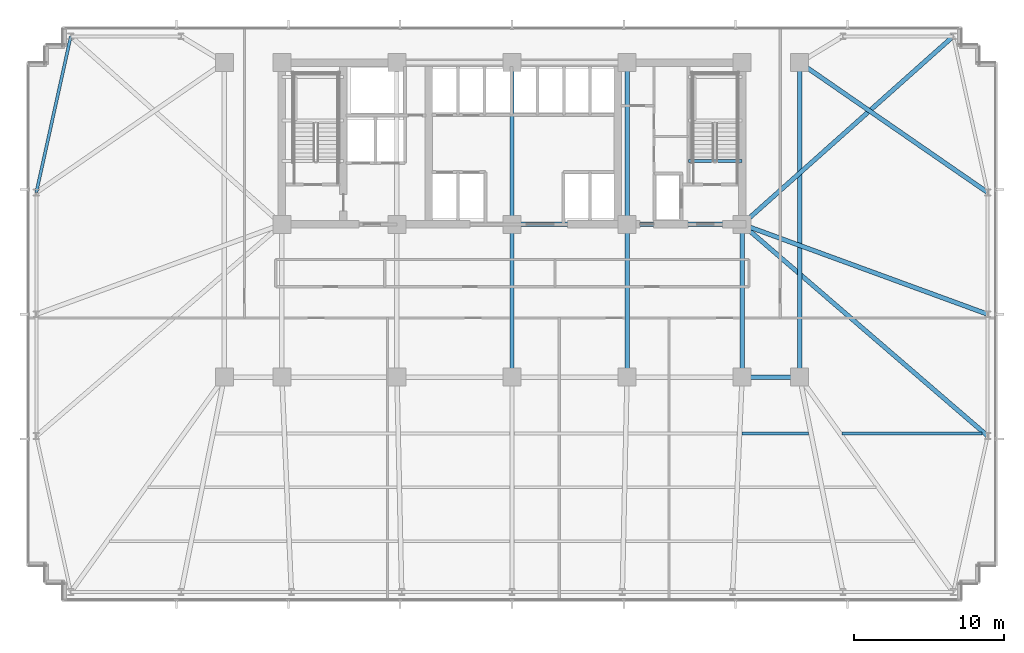
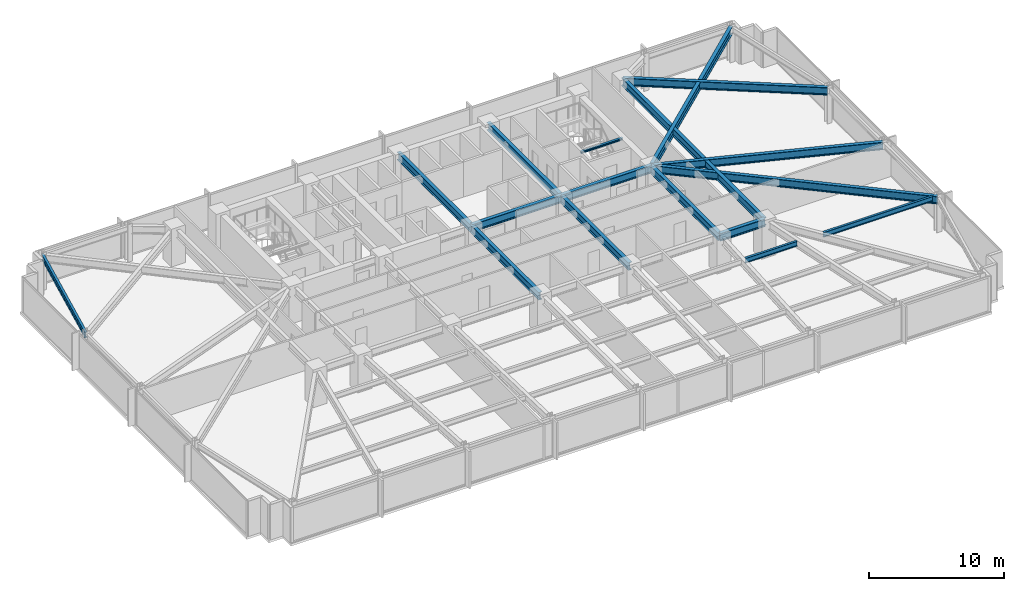
# One storey, part 16 of 32: 17 beams.
"""IFC4 building model written with IfcOpenShell, lengths in metres."""

from ifc_helpers import new_model, si_unit, direction, frame, origin, origin_2d, place, context, subcontext, project, spatial, i_section, extrude, material, material_profile, profile_set, type_object, element, save


model = new_model("IFC4")

# Units and contexts
model_context = context("Model", 3, precision=1e-05, world=origin(), true_north=direction((0.0, 1.0)))
body_context = subcontext(model_context, "Body", "Model", "MODEL_VIEW")
ifc_project = project(units=[si_unit("LENGTHUNIT", "METRE"), si_unit("AREAUNIT", "SQUARE_METRE"), si_unit("VOLUMEUNIT", "CUBIC_METRE"), si_unit("PLANEANGLEUNIT", "RADIAN"), si_unit("MASSUNIT", "GRAM", prefix="KILO")], contexts=[model_context])

# Site, building, storey
site_placement = place(None, origin())
site = spatial("IfcSite", under=ifc_project, at=site_placement, CompositionType="ELEMENT")
building_placement = place(site_placement, origin())
building = spatial("IfcBuilding", under=site, at=building_placement, Name="Yelkora Congress Tower", CompositionType="ELEMENT")
storey_placement = place(building_placement, frame((0.0, 0.0, 67.800048828125)))
storey = spatial("IfcBuildingStorey", under=building, at=storey_placement, Name="L17", CompositionType="ELEMENT", Elevation=67.800048828125)

# Beams
ifc_material = material(Name="Steel S355J2", Category="steel")
ifc_material_profile_1 = material_profile(ifc_material, i_section(OverallWidth=0.300048828125, OverallDepth=0.699951171875, WebThickness=0.01708984375, FlangeThickness=0.031982421875, FilletRadius=0.027099609375, at=origin_2d()), Name="HEB 700")
ifc_profile_set_1 = profile_set([ifc_material_profile_1], Name="Steel S355J2")
beam_type_1 = type_object("IfcBeamType", Name="BM-GIRD-HEB700", PredefinedType="BEAM", material=ifc_profile_set_1)
beam_1_placement = place(storey_placement, frame((53.760009765625, 25.199951171875, 2.829833984375), z_axis=(1.0, 0.0, 0.0), x_axis=(0.0, 1.0, 0.0)))
element("IfcBeam", 1, at=beam_1_placement, inside=storey, type_object=beam_type_1, Name="L17 Spine Grid D Girder 6", PredefinedType="BEAM", context=body_context, shape_type="SweptSolid", body=[
    extrude(i_section(OverallWidth=0.300048828125, OverallDepth=0.699951171875, WebThickness=0.01708984375, FlangeThickness=0.031982421875, FilletRadius=0.027099609375, at=origin_2d()), origin(), (0.0, 0.0, 1.0), 3.840087890625),
])
beam_2_placement = place(storey_placement, frame((38.39990234375, 35.39990234375, 2.829833984375), z_axis=(1.0, 0.0, 0.0), x_axis=(0.0, 1.0, 0.0)))
element("IfcBeam", 2, at=beam_2_placement, inside=storey, type_object=beam_type_1, Name="L17 Core South Girder 3", PredefinedType="BEAM", context=body_context, shape_type="SweptSolid", body=[
    extrude(i_section(OverallWidth=0.300048828125, OverallDepth=0.699951171875, WebThickness=0.01708984375, FlangeThickness=0.031982421875, FilletRadius=0.027099609375, at=origin_2d()), origin(), (0.0, 0.0, 1.0), 7.68017578125),
])
beam_3_placement = place(storey_placement, frame((46.080078125, 35.39990234375, 2.829833984375), z_axis=(1.0, 0.0, 0.0), x_axis=(0.0, 1.0, 0.0)))
element("IfcBeam", 3, at=beam_3_placement, inside=storey, type_object=beam_type_1, Name="L17 Core South Girder 4", PredefinedType="BEAM", context=body_context, shape_type="SweptSolid", body=[
    extrude(i_section(OverallWidth=0.300048828125, OverallDepth=0.699951171875, WebThickness=0.01708984375, FlangeThickness=0.031982421875, FilletRadius=0.027099609375, at=origin_2d()), origin(), (0.0, 0.0, 1.0), 7.679931640625),
])
beam_4_placement = place(storey_placement, frame((38.39990234375, 25.199951171875, 2.829833984375), z_axis=(0.0, 1.0, 0.0), x_axis=(-1.0, 0.0, 0.0)))
element("IfcBeam", 4, at=beam_4_placement, inside=storey, type_object=beam_type_1, Name="L17 Core Tie Girder MC-D3", PredefinedType="BEAM", context=body_context, shape_type="SweptSolid", body=[
    extrude(i_section(OverallWidth=0.300048828125, OverallDepth=0.699951171875, WebThickness=0.01708984375, FlangeThickness=0.031982421875, FilletRadius=0.027099609375, at=origin_2d()), origin(), (0.0, 0.0, 1.0), 10.199951171875),
])
beam_5_placement = place(storey_placement, frame((38.39990234375, 35.39990234375, 2.829833984375), z_axis=(0.0, 1.0, 0.0), x_axis=(-1.0, 0.0, 0.0)))
element("IfcBeam", 5, at=beam_5_placement, inside=storey, type_object=beam_type_1, Name="L17 Core Tie Girder MC-S3", PredefinedType="BEAM", context=body_context, shape_type="SweptSolid", body=[
    extrude(i_section(OverallWidth=0.300048828125, OverallDepth=0.699951171875, WebThickness=0.01708984375, FlangeThickness=0.031982421875, FilletRadius=0.027099609375, at=origin_2d()), origin(), (0.0, 0.0, 1.0), 10.800048828125),
])
beam_6_placement = place(storey_placement, frame((46.080078125, 25.199951171875, 2.829833984375), z_axis=(0.0, 1.0, 0.0), x_axis=(-1.0, 0.0, 0.0)))
element("IfcBeam", 6, at=beam_6_placement, inside=storey, type_object=beam_type_1, Name="L17 Core Tie Girder MC-D4", PredefinedType="BEAM", context=body_context, shape_type="SweptSolid", body=[
    extrude(i_section(OverallWidth=0.300048828125, OverallDepth=0.699951171875, WebThickness=0.01708984375, FlangeThickness=0.031982421875, FilletRadius=0.027099609375, at=origin_2d()), origin(), (0.0, 0.0, 1.0), 10.199951171875),
])
beam_7_placement = place(storey_placement, frame((46.080078125, 35.39990234375, 2.829833984375), z_axis=(0.0, 1.0, 0.0), x_axis=(-1.0, 0.0, 0.0)))
element("IfcBeam", 7, at=beam_7_placement, inside=storey, type_object=beam_type_1, Name="L17 Core Tie Girder MC-S4", PredefinedType="BEAM", context=body_context, shape_type="SweptSolid", body=[
    extrude(i_section(OverallWidth=0.300048828125, OverallDepth=0.699951171875, WebThickness=0.01708984375, FlangeThickness=0.031982421875, FilletRadius=0.027099609375, at=origin_2d()), origin(), (0.0, 0.0, 1.0), 10.800048828125),
])
beam_8_placement = place(storey_placement, frame((53.760009765625, 25.199951171875, 2.829833984375), z_axis=(0.0, 1.0, 0.0), x_axis=(-1.0, 0.0, 0.0)))
element("IfcBeam", 8, at=beam_8_placement, inside=storey, type_object=beam_type_1, Name="L17 Core Tie Girder MC-D5", PredefinedType="BEAM", context=body_context, shape_type="SweptSolid", body=[
    extrude(i_section(OverallWidth=0.300048828125, OverallDepth=0.699951171875, WebThickness=0.01708984375, FlangeThickness=0.031982421875, FilletRadius=0.027099609375, at=origin_2d()), origin(), (0.0, 0.0, 1.0), 10.199951171875),
])
beam_9_placement = place(storey_placement, frame((57.60009765625, 25.199951171875, 2.829833984375), z_axis=(0.0, 1.0, 0.0), x_axis=(-1.0, 0.0, 0.0)))
element("IfcBeam", 9, at=beam_9_placement, inside=storey, type_object=beam_type_1, Name="L17 Neck Flank Girder MC-F2", PredefinedType="BEAM", context=body_context, shape_type="SweptSolid", body=[
    extrude(i_section(OverallWidth=0.300048828125, OverallDepth=0.699951171875, WebThickness=0.01708984375, FlangeThickness=0.031982421875, FilletRadius=0.027099609375, at=origin_2d()), origin(), (0.0, 0.0, 1.0), 21.0),
])
beam_10_placement = place(storey_placement, frame((67.85009765625, 47.949951171875, 2.829833984375), z_axis=(-0.746737189621, -0.665119214605, 0.0), x_axis=(0.665119214605, -0.746737189621, 0.0)))
element("IfcBeam", 10, at=beam_10_placement, inside=storey, type_object=beam_type_1, Name="L17 Primary Frame Girder N09", PredefinedType="BEAM", context=body_context, shape_type="SweptSolid", body=[
    extrude(i_section(OverallWidth=0.300048828125, OverallDepth=0.699951171875, WebThickness=0.01708984375, FlangeThickness=0.031982421875, FilletRadius=0.027099609375, at=origin_2d()), origin(), (0.0, 0.0, 1.0), 18.868896484375),
])
beam_11_placement = place(storey_placement, frame((70.14990234375, 21.27490234375, 2.829833984375), z_axis=(-0.757506357109, 0.652827786586, 0.0), x_axis=(-0.652827786586, -0.757506357109, 0.0)))
element("IfcBeam", 11, at=beam_11_placement, inside=storey, type_object=beam_type_1, Name="L17 Primary Frame Girder E01", PredefinedType="BEAM", context=body_context, shape_type="SweptSolid", body=[
    extrude(i_section(OverallWidth=0.300048828125, OverallDepth=0.699951171875, WebThickness=0.01708984375, FlangeThickness=0.031982421875, FilletRadius=0.027099609375, at=origin_2d()), origin(), (0.0, 0.0, 1.0), 21.63671875),
])
beam_12_placement = place(storey_placement, frame((70.14990234375, 29.39990234375, 2.829833984375), z_axis=(-0.939054471542, 0.343768380567, 0.0), x_axis=(-0.343768380567, -0.939054471542, 0.0)))
element("IfcBeam", 12, at=beam_12_placement, inside=storey, type_object=beam_type_1, Name="L17 Primary Frame Girder E02", PredefinedType="BEAM", context=body_context, shape_type="SweptSolid", body=[
    extrude(i_section(OverallWidth=0.300048828125, OverallDepth=0.699951171875, WebThickness=0.01708984375, FlangeThickness=0.031982421875, FilletRadius=0.027099609375, at=origin_2d()), origin(), (0.0, 0.0, 1.0), 17.45361328125),
])
beam_13_placement = place(storey_placement, frame((70.14990234375, 37.52490234375, 2.829833984375), z_axis=(-0.822599280139, 0.568621512357, 0.0), x_axis=(-0.568621512357, -0.822599280139, 0.0)))
element("IfcBeam", 13, at=beam_13_placement, inside=storey, type_object=beam_type_1, Name="L17 Primary Frame Girder E03", PredefinedType="BEAM", context=body_context, shape_type="SweptSolid", body=[
    extrude(i_section(OverallWidth=0.300048828125, OverallDepth=0.699951171875, WebThickness=0.01708984375, FlangeThickness=0.031982421875, FilletRadius=0.027099609375, at=origin_2d()), origin(), (0.0, 0.0, 1.0), 15.25634765625),
])
ifc_material_profile_2 = material_profile(ifc_material, i_section(OverallWidth=0.18994140625, OverallDepth=0.449951171875, WebThickness=0.009521484375, FlangeThickness=0.0146484375, FilletRadius=0.02099609375, at=origin_2d()), Name="IPE 450")
ifc_profile_set_2 = profile_set([ifc_material_profile_2], Name="Steel S355J2")
beam_type_2 = type_object("IfcBeamType", Name="BM-JOIST-IPE450", PredefinedType="JOIST", material=ifc_profile_set_2)
beam_14_placement = place(storey_placement, frame((53.754150390625, 21.449951171875, 2.954833984375), z_axis=(1.0, 0.0, 0.0), x_axis=(0.0, 1.0, 0.0)))
element("IfcBeam", 14, at=beam_14_placement, inside=storey, type_object=beam_type_2, Name="L17 Composite Floor Joist 22", PredefinedType="JOIST", context=body_context, shape_type="SweptSolid", body=[
    extrude(i_section(OverallWidth=0.18994140625, OverallDepth=0.449951171875, WebThickness=0.009521484375, FlangeThickness=0.0146484375, FilletRadius=0.02099609375, at=origin_2d()), origin(), (0.0, 0.0, 1.0), 4.4404296875),
])
beam_15_placement = place(storey_placement, frame((60.438720703125, 21.449951171875, 2.954833984375), z_axis=(1.0, 0.0, 0.0), x_axis=(0.0, 1.0, 0.0)))
element("IfcBeam", 15, at=beam_15_placement, inside=storey, type_object=beam_type_2, Name="L17 Composite Floor Joist 23", PredefinedType="JOIST", context=body_context, shape_type="SweptSolid", body=[
    extrude(i_section(OverallWidth=0.18994140625, OverallDepth=0.449951171875, WebThickness=0.009521484375, FlangeThickness=0.0146484375, FilletRadius=0.02099609375, at=origin_2d()), origin(), (0.0, 0.0, 1.0), 9.34814453125),
])
ifc_material_profile_3 = material_profile(ifc_material, i_section(OverallWidth=0.199951171875, OverallDepth=0.18994140625, WebThickness=0.006591796875, FlangeThickness=0.010009765625, FilletRadius=0.01806640625, at=origin_2d()), Name="HEA 200")
ifc_profile_set_3 = profile_set([ifc_material_profile_3], Name="Steel S355J2")
beam_type_3 = type_object("IfcBeamType", Name="BM-LAND-HEA200", PredefinedType="BEAM", material=ifc_profile_set_3)
beam_16_placement = place(storey_placement, frame((50.179931640625, 39.639892578125, 2.947265625), z_axis=(1.0, 0.0, 0.0), x_axis=(0.0, 1.0, 0.0)))
element("IfcBeam", 16, at=beam_16_placement, inside=storey, type_object=beam_type_3, Name="ST-02 L17 Floor Arrival Stringer Header Beam", PredefinedType="BEAM", context=body_context, shape_type="SweptSolid", body=[
    extrude(i_section(OverallWidth=0.199951171875, OverallDepth=0.18994140625, WebThickness=0.006591796875, FlangeThickness=0.010009765625, FilletRadius=0.01806640625, at=origin_2d()), origin(), (0.0, 0.0, 1.0), 3.580078125),
])
ifc_material_profile_4 = material_profile(ifc_material, i_section(OverallWidth=0.199951171875, OverallDepth=0.5, WebThickness=0.01025390625, FlangeThickness=0.01611328125, FilletRadius=0.02099609375, at=origin_2d()), Name="IPE 500")
ifc_profile_set_4 = profile_set([ifc_material_profile_4], Name="Steel S355J2")
beam_type_4 = type_object("IfcBeamType", Name="BM-SPAN-IPE500", PredefinedType="SPANDREL", material=ifc_profile_set_4)
beam_17_placement = place(storey_placement, frame((8.949951171875, 47.949951171875, 2.929931640625), z_axis=(-0.215445894778, -0.976515778891, 0.0), x_axis=(0.976515778891, -0.215445894778, 0.0)))
element("IfcBeam", 17, at=beam_17_placement, inside=storey, type_object=beam_type_4, Name="L17 Perimeter Beam 17", PredefinedType="SPANDREL", context=body_context, shape_type="SweptSolid", body=[
    extrude(i_section(OverallWidth=0.199951171875, OverallDepth=0.5, WebThickness=0.01025390625, FlangeThickness=0.01611328125, FilletRadius=0.02099609375, at=origin_2d()), origin(), (0.0, 0.0, 1.0), 10.67578125),
])

save(model, "model.ifc")
